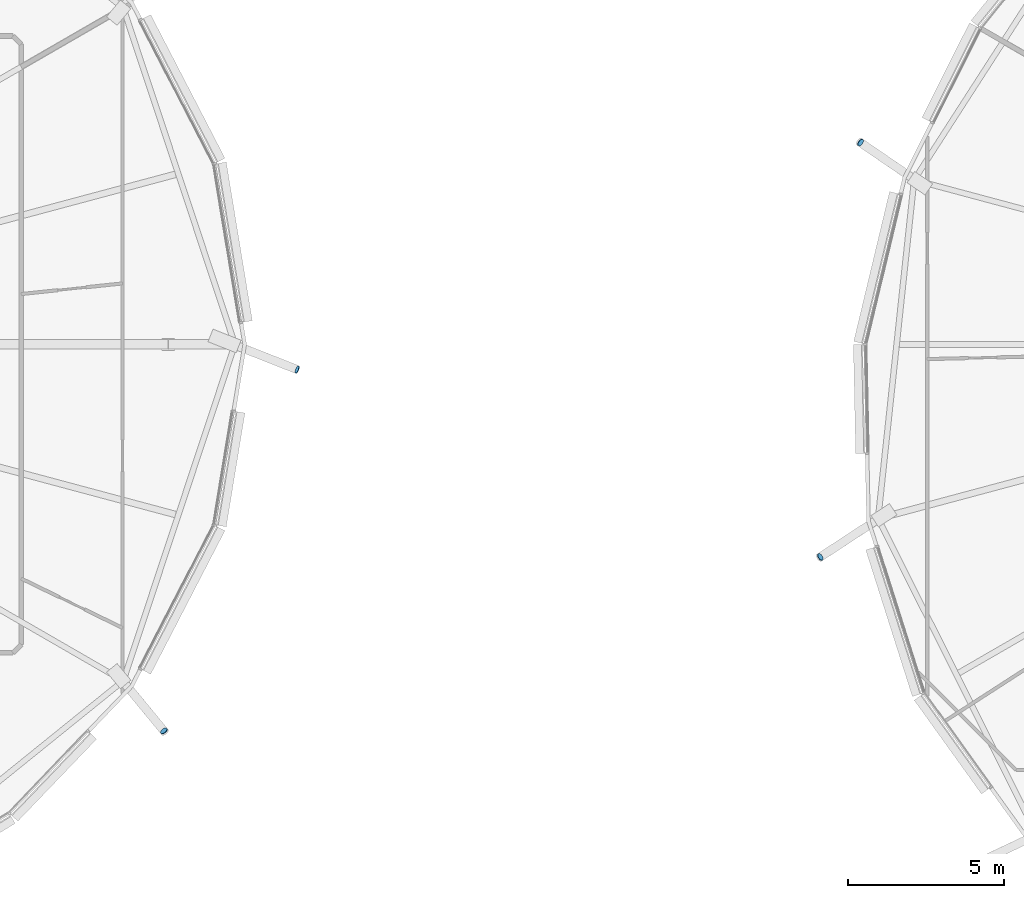
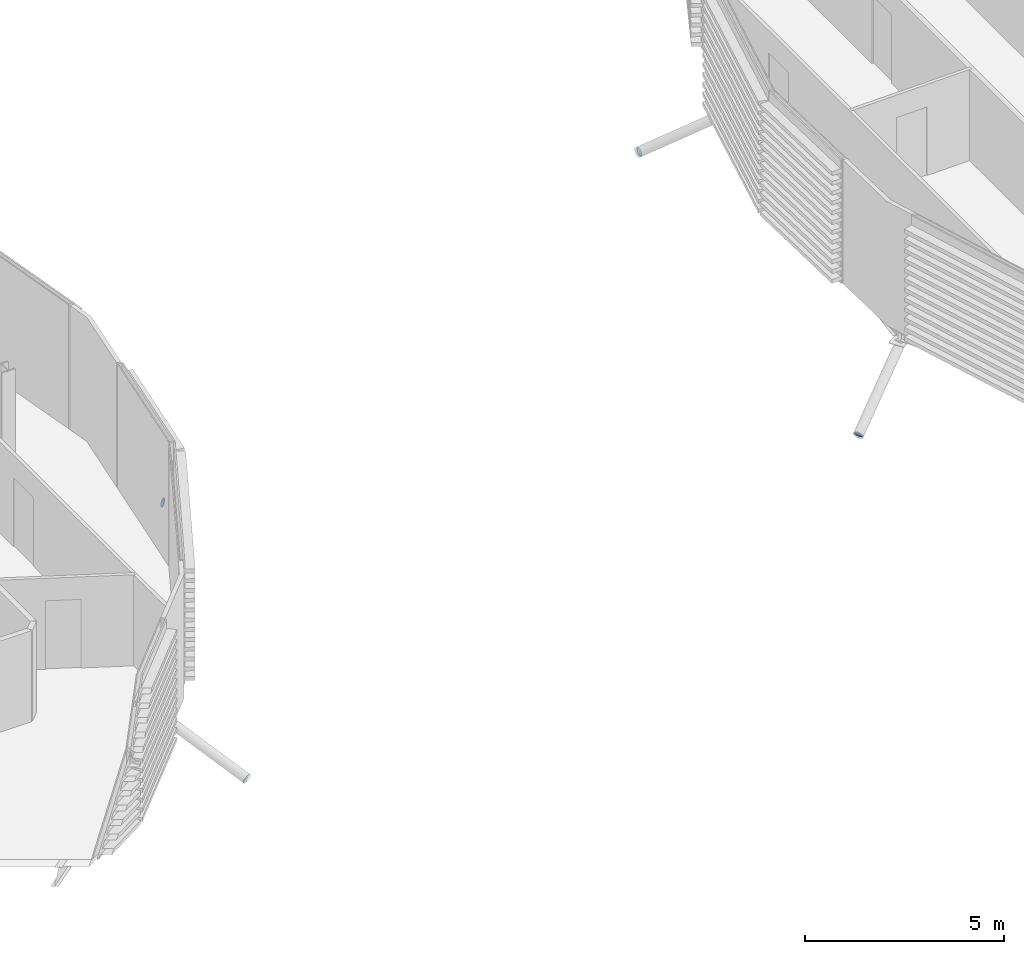
# One storey, part 27 of 37: 4 discrete accessories.
"""IFC4 building model written with IfcOpenShell, lengths in metres."""

from ifc_helpers import new_model, si_unit, direction, frame, origin, origin_2d, place, context, subcontext, project, spatial, circle, extrude, material, material_profile, profile_set, type_object, element, save


model = new_model("IFC4")

# Units and contexts
model_context = context("Model", 3, precision=1e-05, world=origin(), true_north=direction((0.0, 1.0)))
body_context = subcontext(model_context, "Body", "Model", "MODEL_VIEW")
ifc_project = project(units=[si_unit("LENGTHUNIT", "METRE"), si_unit("AREAUNIT", "SQUARE_METRE"), si_unit("VOLUMEUNIT", "CUBIC_METRE"), si_unit("PLANEANGLEUNIT", "RADIAN"), si_unit("MASSUNIT", "GRAM", prefix="KILO")], contexts=[model_context])

# Site, building, storey
site_placement = place(None, origin())
site = spatial("IfcSite", under=ifc_project, at=site_placement, CompositionType="ELEMENT")
building_placement = place(site_placement, origin())
building = spatial("IfcBuilding", under=site, at=building_placement, Name="Rimbun Link Towers", CompositionType="ELEMENT")
storey_placement = place(building_placement, frame((0.0, 0.0, 162.699951171875)))
storey = spatial("IfcBuildingStorey", under=building, at=storey_placement, Name="L39", CompositionType="ELEMENT", Elevation=162.699951171875)

# Discrete accessories
ifc_material = material(Name="Steel S355J2H", Category="steel")
ifc_material_profile = material_profile(ifc_material, circle(Radius=0.1240234375, at=origin_2d()), Name="PL D248")
ifc_profile_set = profile_set([ifc_material_profile], Name="Steel S355J2H")
discrete_accessory_type = type_object("IfcDiscreteAccessoryType", Name="Link foot sealing plate D248X20", PredefinedType="BRACKET", material=ifc_profile_set)
discrete_accessory_placement = place(storey_placement, frame((-7.584716796875, -0.80078125, -1.983642578125), z_axis=(0.873354319961, -0.344421421957, -0.344421421957), x_axis=(0.366868197965, 0.930272930554, 0.0)))
element("IfcDiscreteAccessory", 1, at=discrete_accessory_placement, inside=storey, type_object=discrete_accessory_type, Name="Link foot sealing plate T1 L39 00", PredefinedType="BRACKET", context=body_context, shape_type="SweptSolid", body=[
    extrude(circle(Radius=0.1240234375, at=origin_2d()), origin(), (0.0, 0.0, 1.0), 0.019775390625),
])
for number, where, z_axis, x_axis, name in (
    (2, (-11.83837890625, -12.34521484375, -1.9345703125), (0.549557479085, -0.659468974903, -0.512920313813), (0.768221279597, 0.640184399664, 0.0), "Link foot sealing plate T1 L39 22"),
    (3, (10.4287109375, 6.445556640625, -1.9384765625), (-0.707106781187, 0.487659849094, -0.512042841549), (-0.567732955804, -0.823212785915, 0.0), "Link foot sealing plate T2 L39 08"),
    (4, (9.144287109375, -6.788330078125, -2.115234375), (-0.721715912978, -0.477066450951, -0.501531397154), (0.551433013749, -0.834219174646, 0.0), "Link foot sealing plate T2 L39 10"),
):
    element("IfcDiscreteAccessory", number, at=place(storey_placement, frame(where, z_axis=z_axis, x_axis=x_axis)), inside=storey, type_object=discrete_accessory_type, Name=name, PredefinedType="BRACKET", context=body_context, shape_type="SweptSolid", body=[
        extrude(circle(Radius=0.1240234375, at=origin_2d()), origin(), (0.0, 0.0, 1.0), 0.02001953125),
    ])

save(model, "model.ifc")
